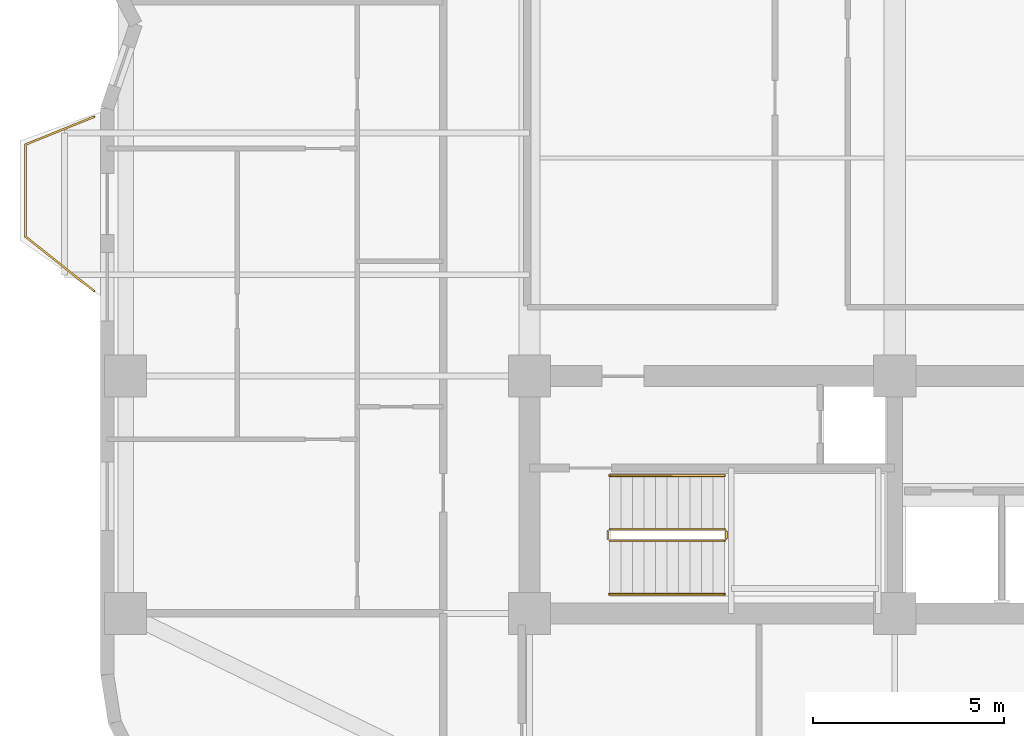
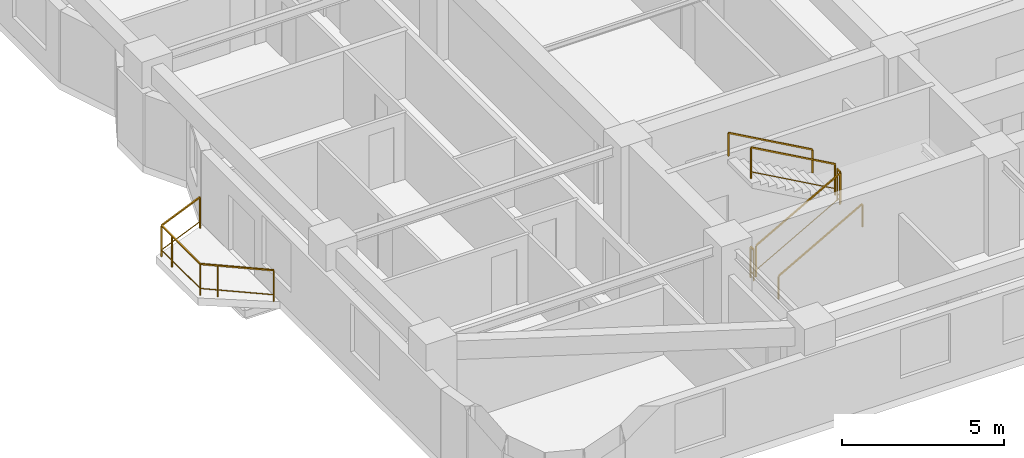
# One storey, part 8 of 9: 7 railings.
"""IFC4 building model written with IfcOpenShell, lengths in metres."""

from ifc_helpers import new_model, si_unit, direction, frame, origin, origin_2d, place, context, subcontext, project, spatial, rectangle, extrude, material, type_object, element, save


model = new_model("IFC4")

# Units and contexts
model_context = context("Model", 3, precision=1e-05, world=origin(), true_north=direction((0.0, 1.0)))
body_context = subcontext(model_context, "Body", "Model", "MODEL_VIEW")
ifc_project = project(units=[si_unit("LENGTHUNIT", "METRE"), si_unit("AREAUNIT", "SQUARE_METRE"), si_unit("VOLUMEUNIT", "CUBIC_METRE"), si_unit("PLANEANGLEUNIT", "RADIAN"), si_unit("MASSUNIT", "GRAM", prefix="KILO")], contexts=[model_context])

# Site, building, storey
site_placement = place(None, origin())
site = spatial("IfcSite", under=ifc_project, at=site_placement, CompositionType="ELEMENT")
building_placement = place(site_placement, origin())
building = spatial("IfcBuilding", under=site, at=building_placement, Name="Svetorya Sky Lyceum", CompositionType="ELEMENT")
storey_placement = place(building_placement, frame((0.0, 0.0, 121.60009765625)))
storey = spatial("IfcBuildingStorey", under=building, at=storey_placement, Name="L30", CompositionType="ELEMENT", Elevation=121.60009765625)

# Railings
ifc_material_1 = material(Name="Laminated safety glass and stainless AISI 316", Category="glass")
railing_type_1 = type_object("IfcRailingType", Name="RL-BAL-1200", PredefinedType="BALUSTRADE", material=ifc_material_1)
railing_1_placement = place(storey_placement, frame((14.22998046875, 19.02001953125, 0.0)))
element("IfcRailing", 1, at=railing_1_placement, inside=storey, type_object=railing_type_1, Name="L30 Balcony Balustrade BAL-W1", PredefinedType="BALUSTRADE", context=body_context, shape_type="SweptSolid", body=[
    extrude(rectangle(XDim=0.048095703125, YDim=0.048095703125, at=origin_2d()), frame((0.0, 0.0, 1.17578125), z_axis=(-0.783008919264, 0.622010476079, 0.0), x_axis=(-0.622010476079, -0.783008919264, 0.0)), (0.0, 0.0, 1.0), 2.298828125),
    extrude(rectangle(XDim=0.02392578125, YDim=0.02392578125, at=origin_2d()), frame((0.0, 0.0, 0.25), z_axis=(-0.783008919264, 0.622010476079, 0.0), x_axis=(-0.622010476079, -0.783008919264, 0.0)), (0.0, 0.0, 1.0), 2.298828125),
    extrude(rectangle(XDim=0.048095703125, YDim=0.048095703125, at=origin_2d()), frame((-1.800048828125, 1.429931640625, 1.17578125), z_axis=(0.0, 1.0, 0.0), x_axis=(-1.0, 0.0, 0.0)), (0.0, 0.0, 1.0), 2.400146484375),
    extrude(rectangle(XDim=0.02392578125, YDim=0.02392578125, at=origin_2d()), frame((-1.800048828125, 1.429931640625, 0.25), z_axis=(0.0, 1.0, 0.0), x_axis=(-1.0, 0.0, 0.0)), (0.0, 0.0, 1.0), 2.400146484375),
    extrude(rectangle(XDim=0.048095703125, YDim=0.048095703125, at=origin_2d()), frame((-1.800048828125, 3.830078125, 1.17578125), z_axis=(0.926697865975, 0.375807218129, 0.0), x_axis=(-0.375807218129, 0.926697865975, 0.0)), (0.0, 0.0, 1.0), 1.9423828125),
    extrude(rectangle(XDim=0.02392578125, YDim=0.02392578125, at=origin_2d()), frame((-1.800048828125, 3.830078125, 0.25), z_axis=(0.926697865975, 0.375807218129, 0.0), x_axis=(-0.375807218129, 0.926697865975, 0.0)), (0.0, 0.0, 1.0), 1.9423828125),
    extrude(rectangle(XDim=0.0419921875, YDim=0.0419921875, at=origin_2d()), origin(), (0.0, 0.0, 1.0), 1.15185546875),
    extrude(rectangle(XDim=0.0419921875, YDim=0.0419921875, at=origin_2d()), frame((-1.370361328125, 1.088623046875, 0.0)), (0.0, 0.0, 1.0), 1.15185546875),
    extrude(rectangle(XDim=0.0419921875, YDim=0.0419921875, at=origin_2d()), frame((-1.800048828125, 1.429931640625, 0.0)), (0.0, 0.0, 1.0), 1.15185546875),
    extrude(rectangle(XDim=0.0419921875, YDim=0.0419921875, at=origin_2d()), frame((-1.800048828125, 3.179931640625, 0.0)), (0.0, 0.0, 1.0), 1.15185546875),
    extrude(rectangle(XDim=0.0419921875, YDim=0.0419921875, at=origin_2d()), frame((-1.800048828125, 3.830078125, 0.0)), (0.0, 0.0, 1.0), 1.15185546875),
    extrude(rectangle(XDim=0.0419921875, YDim=0.0419921875, at=origin_2d()), frame((0.0, 4.56005859375, 0.0)), (0.0, 0.0, 1.0), 1.15185546875),
])
ifc_material_2 = material(Name="Painted galvanized stair well guard")
railing_type_2 = type_object("IfcRailingType", Name="RL-STR-GUARD-1200", PredefinedType="GUARDRAIL", material=ifc_material_2)
railing_2_placement = place(storey_placement, frame((27.699951171875, 12.5, 0.16796875)))
element("IfcRailing", 2, at=railing_2_placement, inside=storey, type_object=railing_type_2, Name="L30 ST-S stair guard 1", PredefinedType="GUARDRAIL", context=body_context, shape_type="SweptSolid", body=[
    extrude(rectangle(XDim=0.048095703125, YDim=0.048095703125, at=origin_2d()), frame((0.0, 0.0, 1.17578125), z_axis=(0.872272294576, 0.0, 0.489020494575), x_axis=(0.0, 1.0, 0.0)), (0.0, 0.0, 1.0), 3.439208984375),
    extrude(rectangle(XDim=0.02392578125, YDim=0.02392578125, at=origin_2d()), frame((0.0, 0.0, 0.25), z_axis=(0.872272294576, 0.0, 0.489020494575), x_axis=(0.0, 1.0, 0.0)), (0.0, 0.0, 1.0), 3.439208984375),
    extrude(rectangle(XDim=0.0419921875, YDim=0.0419921875, at=origin_2d()), origin(), (0.0, 0.0, 1.0), 1.15185546875),
    extrude(rectangle(XDim=0.0419921875, YDim=0.0419921875, at=origin_2d()), frame((3.0, 0.0, 1.681884765625)), (0.0, 0.0, 1.0), 1.15185546875),
])
railing_3_placement = place(storey_placement, frame((30.75, 12.550048828125, 1.849853515625)))
element("IfcRailing", 3, at=railing_3_placement, inside=storey, type_object=railing_type_2, Name="L30 ST-S stair guard 2", PredefinedType="GUARDRAIL", context=body_context, shape_type="SweptSolid", body=[
    extrude(rectangle(XDim=0.048095703125, YDim=0.048095703125, at=origin_2d()), frame((0.0, 0.0, 1.17578125), z_axis=(0.0, 1.0, 0.0), x_axis=(-1.0, 0.0, 0.0)), (0.0, 0.0, 1.0), 0.199951171875),
    extrude(rectangle(XDim=0.02392578125, YDim=0.02392578125, at=origin_2d()), frame((0.0, 0.0, 0.25), z_axis=(0.0, 1.0, 0.0), x_axis=(-1.0, 0.0, 0.0)), (0.0, 0.0, 1.0), 0.199951171875),
    extrude(rectangle(XDim=0.0419921875, YDim=0.0419921875, at=origin_2d()), origin(), (0.0, 0.0, 1.0), 1.15185546875),
    extrude(rectangle(XDim=0.0419921875, YDim=0.0419921875, at=origin_2d()), frame((0.0, 0.199951171875, 0.0)), (0.0, 0.0, 1.0), 1.15185546875),
])
railing_4_placement = place(storey_placement, frame((30.699951171875, 12.800048828125, 2.01806640625)))
element("IfcRailing", 4, at=railing_4_placement, inside=storey, type_object=railing_type_2, Name="L30 ST-S stair guard 3", PredefinedType="GUARDRAIL", context=body_context, shape_type="SweptSolid", body=[
    extrude(rectangle(XDim=0.048095703125, YDim=0.048095703125, at=origin_2d()), frame((0.0, 0.0, 1.17578125), z_axis=(-0.872272294576, 0.0, 0.489020494575), x_axis=(0.0, -1.0, 0.0)), (0.0, 0.0, 1.0), 3.439208984375),
    extrude(rectangle(XDim=0.02392578125, YDim=0.02392578125, at=origin_2d()), frame((0.0, 0.0, 0.25), z_axis=(-0.872272294576, 0.0, 0.489020494575), x_axis=(0.0, -1.0, 0.0)), (0.0, 0.0, 1.0), 3.439208984375),
    extrude(rectangle(XDim=0.0419921875, YDim=0.0419921875, at=origin_2d()), origin(), (0.0, 0.0, 1.0), 1.15185546875),
    extrude(rectangle(XDim=0.0419921875, YDim=0.0419921875, at=origin_2d()), frame((-3.0, 0.0, 1.681884765625)), (0.0, 0.0, 1.0), 1.15185546875),
])
railing_5_placement = place(storey_placement, frame((27.64990234375, 12.550048828125, 0.0)))
element("IfcRailing", 5, at=railing_5_placement, inside=storey, type_object=railing_type_2, Name="L30 ST-S stair guard 4", PredefinedType="GUARDRAIL", context=body_context, shape_type="SweptSolid", body=[
    extrude(rectangle(XDim=0.048095703125, YDim=0.048095703125, at=origin_2d()), frame((0.0, 0.0, 1.17578125), z_axis=(0.0, 1.0, 0.0), x_axis=(-1.0, 0.0, 0.0)), (0.0, 0.0, 1.0), 0.199951171875),
    extrude(rectangle(XDim=0.02392578125, YDim=0.02392578125, at=origin_2d()), frame((0.0, 0.0, 0.25), z_axis=(0.0, 1.0, 0.0), x_axis=(-1.0, 0.0, 0.0)), (0.0, 0.0, 1.0), 0.199951171875),
    extrude(rectangle(XDim=0.0419921875, YDim=0.0419921875, at=origin_2d()), origin(), (0.0, 0.0, 1.0), 1.15185546875),
    extrude(rectangle(XDim=0.0419921875, YDim=0.0419921875, at=origin_2d()), frame((0.0, 0.199951171875, 0.0)), (0.0, 0.0, 1.0), 1.15185546875),
])
ifc_material_3 = material(Name="Brushed stainless AISI 304 stair handrail")
railing_type_3 = type_object("IfcRailingType", Name="RL-STR-HAND-920", PredefinedType="HANDRAIL", material=ifc_material_3)
railing_6_placement = place(storey_placement, frame((27.699951171875, 11.10009765625, 0.16796875)))
element("IfcRailing", 6, at=railing_6_placement, inside=storey, type_object=railing_type_3, Name="L30 ST-S stair handrail 1", PredefinedType="HANDRAIL", context=body_context, shape_type="SweptSolid", body=[
    extrude(rectangle(XDim=0.048095703125, YDim=0.048095703125, at=origin_2d()), frame((0.0, 0.0, 0.8759765625), z_axis=(0.872272294576, 0.0, 0.489020494575), x_axis=(0.0, 1.0, 0.0)), (0.0, 0.0, 1.0), 3.439208984375),
    extrude(rectangle(XDim=0.0419921875, YDim=0.0419921875, at=origin_2d()), origin(), (0.0, 0.0, 1.0), 0.851806640625),
    extrude(rectangle(XDim=0.0419921875, YDim=0.0419921875, at=origin_2d()), frame((3.0, 0.0, 1.681884765625)), (0.0, 0.0, 1.0), 0.851806640625),
])
railing_7_placement = place(storey_placement, frame((30.699951171875, 14.199951171875, 2.01806640625)))
element("IfcRailing", 7, at=railing_7_placement, inside=storey, type_object=railing_type_3, Name="L30 ST-S stair handrail 2", PredefinedType="HANDRAIL", context=body_context, shape_type="SweptSolid", body=[
    extrude(rectangle(XDim=0.048095703125, YDim=0.048095703125, at=origin_2d()), frame((0.0, 0.0, 0.8759765625), z_axis=(-0.872272294576, 0.0, 0.489020494575), x_axis=(0.0, -1.0, 0.0)), (0.0, 0.0, 1.0), 3.439208984375),
    extrude(rectangle(XDim=0.0419921875, YDim=0.0419921875, at=origin_2d()), origin(), (0.0, 0.0, 1.0), 0.851806640625),
    extrude(rectangle(XDim=0.0419921875, YDim=0.0419921875, at=origin_2d()), frame((-3.0, 0.0, 1.681884765625)), (0.0, 0.0, 1.0), 0.851806640625),
])

save(model, "model.ifc")
